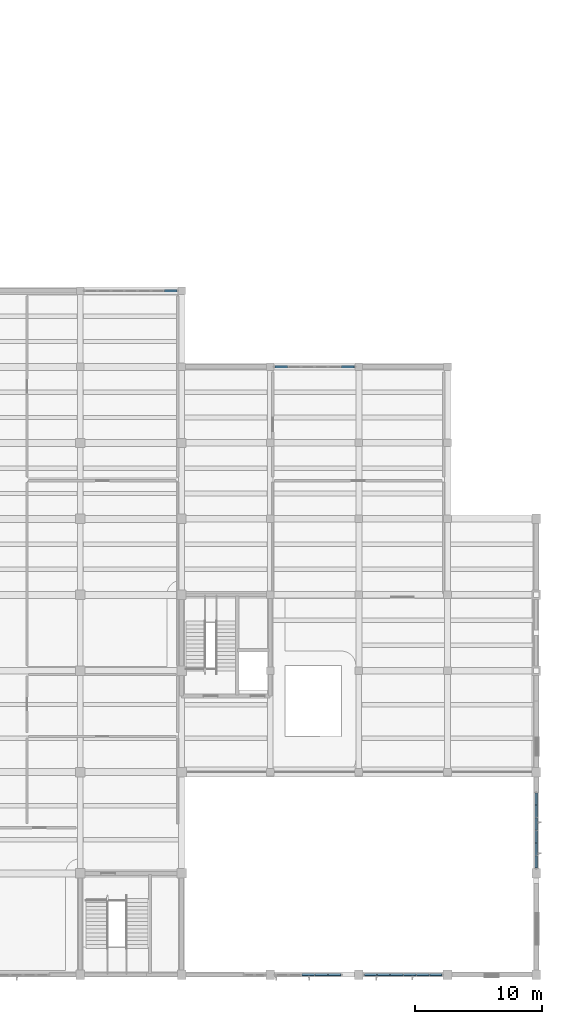
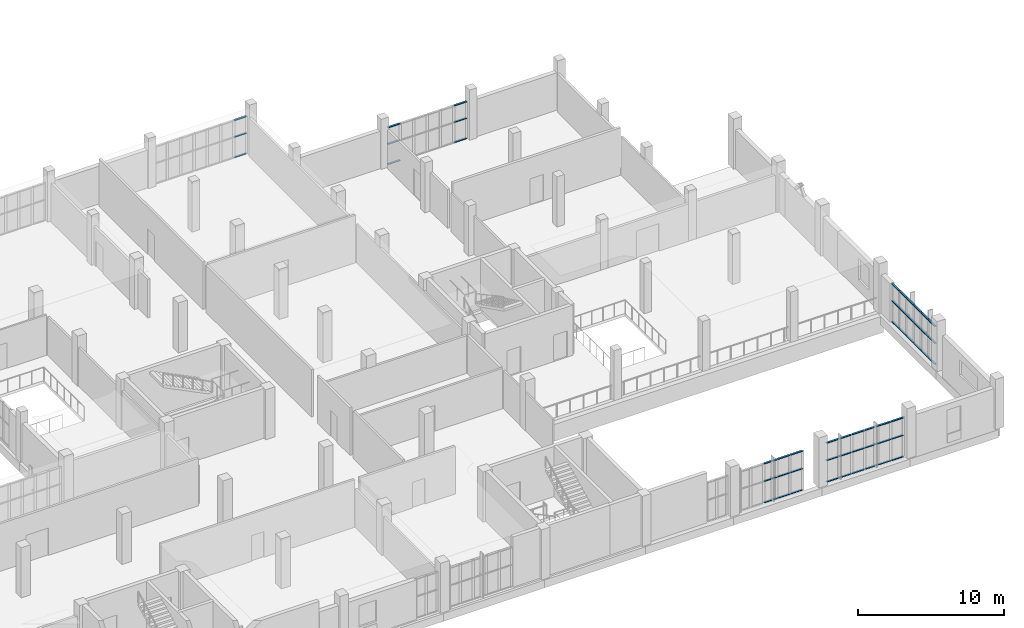
# One storey, part 44 of 85: 54 members, 5 elements without a shape of their own.
"""IFC4 building model written with IfcOpenShell, lengths in metres."""

from ifc_helpers import new_model, si_unit, direction, frame, origin, origin_2d, place, context, subcontext, project, spatial, rectangle, extrude, material, layer, layer_set, material_profile, profile_set, type_object, element, aggregate, save


model = new_model("IFC4")

# Units and contexts
model_context = context("Model", 3, precision=1e-05, world=origin(), true_north=direction((0.0, 1.0)))
body_context = subcontext(model_context, "Body", "Model", "MODEL_VIEW")
ifc_project = project(units=[si_unit("LENGTHUNIT", "METRE"), si_unit("AREAUNIT", "SQUARE_METRE"), si_unit("VOLUMEUNIT", "CUBIC_METRE"), si_unit("PLANEANGLEUNIT", "RADIAN"), si_unit("MASSUNIT", "GRAM", prefix="KILO")], contexts=[model_context])

# Site, building, storey
site_placement = place(None, origin())
site = spatial("IfcSite", under=ifc_project, at=site_placement, CompositionType="ELEMENT")
building_placement = place(site_placement, origin())
building = spatial("IfcBuilding", under=site, at=building_placement, Name="Solvane Community Centre", CompositionType="ELEMENT")
storey_placement = place(building_placement, frame((0.0, 0.0, 5.39990234375)))
storey = spatial("IfcBuildingStorey", under=building, at=storey_placement, Name="L01", CompositionType="ELEMENT", Elevation=5.39990234375)

# Curtain wall, members
ifc_material = material(Name="Anodised bronze aluminium AW-6063 T6", Category="aluminium")
ifc_layer_1 = layer(ifc_material, 0.18994140625)
ifc_layer_set_1 = layer_set([ifc_layer_1], Name="Anodised bronze aluminium AW-6063 T6")
curtain_wall_type_1 = type_object("IfcCurtainWallType", Name="Boulevard Bronze Vision Curtain Wall [62x33dm]", PredefinedType="NOTDEFINED", material=ifc_layer_set_1)
curtain_wall_1_placement = place(storey_placement, origin())
curtain_wall_1 = element("IfcCurtainWall", 1, at=curtain_wall_1_placement, inside=storey, type_object=curtain_wall_type_1, Name="Curtain Wall CW-L01-1606_60-073", PredefinedType="NOTDEFINED")
ifc_material_profile = material_profile(ifc_material, rectangle(XDim=0.14990234375, YDim=0.06005859375, at=origin_2d()), Name="CW-T 60x150")
ifc_profile_set = profile_set([ifc_material_profile], Name="Anodised bronze aluminium AW-6063 T6")
member_type = type_object("IfcMemberType", Name="Boulevard Transom 60x150", PredefinedType="USERDEFINED", material=ifc_profile_set)
member_1_placement = place(storey_placement, frame((160.544921875, 6.0, 0.030029296875), z_axis=(-1.0, 0.0, 0.0), x_axis=(0.0, -1.0, 0.0)))
member_1 = element("IfcMember", 2, at=member_1_placement, type_object=member_type, Name="CW02-62x33 transom 1.1", ObjectType="TRANSOM", PredefinedType="USERDEFINED", context=body_context, shape_type="SweptSolid", body=[
    extrude(rectangle(XDim=0.14990234375, YDim=0.06005859375, at=origin_2d()), origin(), (0.0, 0.0, 1.0), 0.94482421875),
])
member_2_placement = place(storey_placement, frame((160.544921875, 6.0, 1.822998046875), z_axis=(-1.0, 0.0, 0.0), x_axis=(0.0, -1.0, 0.0)))
member_2 = element("IfcMember", 3, at=member_2_placement, type_object=member_type, Name="CW02-62x33 transom 1.2", ObjectType="TRANSOM", PredefinedType="USERDEFINED", context=body_context, shape_type="SweptSolid", body=[
    extrude(rectangle(XDim=0.14990234375, YDim=0.06005859375, at=origin_2d()), origin(), (0.0, 0.0, 1.0), 0.94482421875),
])
member_3_placement = place(storey_placement, frame((160.544921875, 6.0, 3.28515625), z_axis=(-1.0, 0.0, 0.0), x_axis=(0.0, -1.0, 0.0)))
member_3 = element("IfcMember", 4, at=member_3_placement, type_object=member_type, Name="CW02-62x33 transom 1.3", ObjectType="TRANSOM", PredefinedType="USERDEFINED", context=body_context, shape_type="SweptSolid", body=[
    extrude(rectangle(XDim=0.14990234375, YDim=0.06005859375, at=origin_2d()), origin(), (0.0, 0.0, 1.0), 0.94482421875),
])
member_4_placement = place(storey_placement, frame((159.5400390625, 6.0, 0.030029296875), z_axis=(-1.0, 0.0, 0.0), x_axis=(0.0, -1.0, 0.0)))
member_4 = element("IfcMember", 5, at=member_4_placement, type_object=member_type, Name="CW02-62x33 transom 2.1", ObjectType="TRANSOM", PredefinedType="USERDEFINED", context=body_context, shape_type="SweptSolid", body=[
    extrude(rectangle(XDim=0.14990234375, YDim=0.06005859375, at=origin_2d()), origin(), (0.0, 0.0, 1.0), 0.97509765625),
])
member_5_placement = place(storey_placement, frame((159.5400390625, 6.0, 1.822998046875), z_axis=(-1.0, 0.0, 0.0), x_axis=(0.0, -1.0, 0.0)))
member_5 = element("IfcMember", 6, at=member_5_placement, type_object=member_type, Name="CW02-62x33 transom 2.2", ObjectType="TRANSOM", PredefinedType="USERDEFINED", context=body_context, shape_type="SweptSolid", body=[
    extrude(rectangle(XDim=0.14990234375, YDim=0.06005859375, at=origin_2d()), origin(), (0.0, 0.0, 1.0), 0.97509765625),
])
member_6_placement = place(storey_placement, frame((159.5400390625, 6.0, 3.28515625), z_axis=(-1.0, 0.0, 0.0), x_axis=(0.0, -1.0, 0.0)))
member_6 = element("IfcMember", 7, at=member_6_placement, type_object=member_type, Name="CW02-62x33 transom 2.3", ObjectType="TRANSOM", PredefinedType="USERDEFINED", context=body_context, shape_type="SweptSolid", body=[
    extrude(rectangle(XDim=0.14990234375, YDim=0.06005859375, at=origin_2d()), origin(), (0.0, 0.0, 1.0), 0.97509765625),
])
member_7_placement = place(storey_placement, frame((158.5048828125, 6.0, 0.030029296875), z_axis=(-1.0, 0.0, 0.0), x_axis=(0.0, -1.0, 0.0)))
member_7 = element("IfcMember", 8, at=member_7_placement, type_object=member_type, Name="CW02-62x33 transom 3.1", ObjectType="TRANSOM", PredefinedType="USERDEFINED", context=body_context, shape_type="SweptSolid", body=[
    extrude(rectangle(XDim=0.14990234375, YDim=0.06005859375, at=origin_2d()), origin(), (0.0, 0.0, 1.0), 0.974853515625),
])
member_8_placement = place(storey_placement, frame((158.5048828125, 6.0, 1.822998046875), z_axis=(-1.0, 0.0, 0.0), x_axis=(0.0, -1.0, 0.0)))
member_8 = element("IfcMember", 9, at=member_8_placement, type_object=member_type, Name="CW02-62x33 transom 3.2", ObjectType="TRANSOM", PredefinedType="USERDEFINED", context=body_context, shape_type="SweptSolid", body=[
    extrude(rectangle(XDim=0.14990234375, YDim=0.06005859375, at=origin_2d()), origin(), (0.0, 0.0, 1.0), 0.974853515625),
])
member_9_placement = place(storey_placement, frame((158.5048828125, 6.0, 3.28515625), z_axis=(-1.0, 0.0, 0.0), x_axis=(0.0, -1.0, 0.0)))
member_9 = element("IfcMember", 10, at=member_9_placement, type_object=member_type, Name="CW02-62x33 transom 3.3", ObjectType="TRANSOM", PredefinedType="USERDEFINED", context=body_context, shape_type="SweptSolid", body=[
    extrude(rectangle(XDim=0.14990234375, YDim=0.06005859375, at=origin_2d()), origin(), (0.0, 0.0, 1.0), 0.974853515625),
])
member_10_placement = place(storey_placement, frame((157.469970703125, 6.0, 0.030029296875), z_axis=(-1.0, 0.0, 0.0), x_axis=(0.0, -1.0, 0.0)))
member_10 = element("IfcMember", 11, at=member_10_placement, type_object=member_type, Name="CW02-62x33 transom 4.1", ObjectType="TRANSOM", PredefinedType="USERDEFINED", context=body_context, shape_type="SweptSolid", body=[
    extrude(rectangle(XDim=0.14990234375, YDim=0.06005859375, at=origin_2d()), origin(), (0.0, 0.0, 1.0), 0.974853515625),
])
member_11_placement = place(storey_placement, frame((157.469970703125, 6.0, 1.822998046875), z_axis=(-1.0, 0.0, 0.0), x_axis=(0.0, -1.0, 0.0)))
member_11 = element("IfcMember", 12, at=member_11_placement, type_object=member_type, Name="CW02-62x33 transom 4.2", ObjectType="TRANSOM", PredefinedType="USERDEFINED", context=body_context, shape_type="SweptSolid", body=[
    extrude(rectangle(XDim=0.14990234375, YDim=0.06005859375, at=origin_2d()), origin(), (0.0, 0.0, 1.0), 0.974853515625),
])
member_12_placement = place(storey_placement, frame((157.469970703125, 6.0, 3.28515625), z_axis=(-1.0, 0.0, 0.0), x_axis=(0.0, -1.0, 0.0)))
member_12 = element("IfcMember", 13, at=member_12_placement, type_object=member_type, Name="CW02-62x33 transom 4.3", ObjectType="TRANSOM", PredefinedType="USERDEFINED", context=body_context, shape_type="SweptSolid", body=[
    extrude(rectangle(XDim=0.14990234375, YDim=0.06005859375, at=origin_2d()), origin(), (0.0, 0.0, 1.0), 0.974853515625),
])
member_13_placement = place(storey_placement, frame((156.43505859375, 6.0, 0.030029296875), z_axis=(-1.0, 0.0, 0.0), x_axis=(0.0, -1.0, 0.0)))
member_13 = element("IfcMember", 14, at=member_13_placement, type_object=member_type, Name="CW02-62x33 transom 5.1", ObjectType="TRANSOM", PredefinedType="USERDEFINED", context=body_context, shape_type="SweptSolid", body=[
    extrude(rectangle(XDim=0.14990234375, YDim=0.06005859375, at=origin_2d()), origin(), (0.0, 0.0, 1.0), 0.97509765625),
])
member_14_placement = place(storey_placement, frame((156.43505859375, 6.0, 1.822998046875), z_axis=(-1.0, 0.0, 0.0), x_axis=(0.0, -1.0, 0.0)))
member_14 = element("IfcMember", 15, at=member_14_placement, type_object=member_type, Name="CW02-62x33 transom 5.2", ObjectType="TRANSOM", PredefinedType="USERDEFINED", context=body_context, shape_type="SweptSolid", body=[
    extrude(rectangle(XDim=0.14990234375, YDim=0.06005859375, at=origin_2d()), origin(), (0.0, 0.0, 1.0), 0.97509765625),
])
member_15_placement = place(storey_placement, frame((156.43505859375, 6.0, 3.28515625), z_axis=(-1.0, 0.0, 0.0), x_axis=(0.0, -1.0, 0.0)))
member_15 = element("IfcMember", 16, at=member_15_placement, type_object=member_type, Name="CW02-62x33 transom 5.3", ObjectType="TRANSOM", PredefinedType="USERDEFINED", context=body_context, shape_type="SweptSolid", body=[
    extrude(rectangle(XDim=0.14990234375, YDim=0.06005859375, at=origin_2d()), origin(), (0.0, 0.0, 1.0), 0.97509765625),
])
member_16_placement = place(storey_placement, frame((155.39990234375, 6.0, 0.030029296875), z_axis=(-1.0, 0.0, 0.0), x_axis=(0.0, -1.0, 0.0)))
member_16 = element("IfcMember", 17, at=member_16_placement, type_object=member_type, Name="CW02-62x33 transom 6.1", ObjectType="TRANSOM", PredefinedType="USERDEFINED", context=body_context, shape_type="SweptSolid", body=[
    extrude(rectangle(XDim=0.14990234375, YDim=0.06005859375, at=origin_2d()), origin(), (0.0, 0.0, 1.0), 0.94482421875),
])
member_17_placement = place(storey_placement, frame((155.39990234375, 6.0, 1.822998046875), z_axis=(-1.0, 0.0, 0.0), x_axis=(0.0, -1.0, 0.0)))
member_17 = element("IfcMember", 18, at=member_17_placement, type_object=member_type, Name="CW02-62x33 transom 6.2", ObjectType="TRANSOM", PredefinedType="USERDEFINED", context=body_context, shape_type="SweptSolid", body=[
    extrude(rectangle(XDim=0.14990234375, YDim=0.06005859375, at=origin_2d()), origin(), (0.0, 0.0, 1.0), 0.94482421875),
])
member_18_placement = place(storey_placement, frame((155.39990234375, 6.0, 3.28515625), z_axis=(-1.0, 0.0, 0.0), x_axis=(0.0, -1.0, 0.0)))
member_18 = element("IfcMember", 19, at=member_18_placement, type_object=member_type, Name="CW02-62x33 transom 6.3", ObjectType="TRANSOM", PredefinedType="USERDEFINED", context=body_context, shape_type="SweptSolid", body=[
    extrude(rectangle(XDim=0.14990234375, YDim=0.06005859375, at=origin_2d()), origin(), (0.0, 0.0, 1.0), 0.94482421875),
])
aggregate(curtain_wall_1, [member_1, member_2, member_3, member_4, member_5, member_6, member_7, member_8, member_9, member_10, member_11, member_12, member_13, member_14, member_15, member_16, member_17, member_18])

ifc_layer_2 = layer(ifc_material, 0.18994140625)
ifc_layer_set_2 = layer_set([ifc_layer_2], Name="Anodised bronze aluminium AW-6063 T6")
curtain_wall_type_2 = type_object("IfcCurtainWallType", Name="Boulevard Bronze Vision Curtain Wall [52x33dm]", PredefinedType="NOTDEFINED", material=ifc_layer_set_2)
curtain_wall_2_placement = place(storey_placement, origin())
curtain_wall_2 = element("IfcCurtainWall", 20, at=curtain_wall_2_placement, inside=storey, type_object=curtain_wall_type_2, Name="Curtain Wall CW-L01-1526_60-074", PredefinedType="NOTDEFINED")
member_19_placement = place(storey_placement, frame((152.555419921875, 6.0, 0.030029296875), z_axis=(-1.0, 0.0, 0.0), x_axis=(0.0, -1.0, 0.0)))
member_19 = element("IfcMember", 21, at=member_19_placement, type_object=member_type, Name="CW02-52x33 transom 1.1", ObjectType="TRANSOM", PredefinedType="USERDEFINED", context=body_context, shape_type="SweptSolid", body=[
    extrude(rectangle(XDim=0.14990234375, YDim=0.06005859375, at=origin_2d()), origin(), (0.0, 0.0, 1.0), 0.9541015625),
])
member_20_placement = place(storey_placement, frame((152.555419921875, 6.0, 1.822998046875), z_axis=(-1.0, 0.0, 0.0), x_axis=(0.0, -1.0, 0.0)))
member_20 = element("IfcMember", 22, at=member_20_placement, type_object=member_type, Name="CW02-52x33 transom 1.2", ObjectType="TRANSOM", PredefinedType="USERDEFINED", context=body_context, shape_type="SweptSolid", body=[
    extrude(rectangle(XDim=0.14990234375, YDim=0.06005859375, at=origin_2d()), origin(), (0.0, 0.0, 1.0), 0.9541015625),
])
member_21_placement = place(storey_placement, frame((152.555419921875, 6.0, 3.28515625), z_axis=(-1.0, 0.0, 0.0), x_axis=(0.0, -1.0, 0.0)))
member_21 = element("IfcMember", 23, at=member_21_placement, type_object=member_type, Name="CW02-52x33 transom 1.3", ObjectType="TRANSOM", PredefinedType="USERDEFINED", context=body_context, shape_type="SweptSolid", body=[
    extrude(rectangle(XDim=0.14990234375, YDim=0.06005859375, at=origin_2d()), origin(), (0.0, 0.0, 1.0), 0.9541015625),
])
member_22_placement = place(storey_placement, frame((151.541259765625, 6.0, 0.030029296875), z_axis=(-1.0, 0.0, 0.0), x_axis=(0.0, -1.0, 0.0)))
member_22 = element("IfcMember", 24, at=member_22_placement, type_object=member_type, Name="CW02-52x33 transom 2.1", ObjectType="TRANSOM", PredefinedType="USERDEFINED", context=body_context, shape_type="SweptSolid", body=[
    extrude(rectangle(XDim=0.14990234375, YDim=0.06005859375, at=origin_2d()), origin(), (0.0, 0.0, 1.0), 0.984130859375),
])
member_23_placement = place(storey_placement, frame((151.541259765625, 6.0, 1.822998046875), z_axis=(-1.0, 0.0, 0.0), x_axis=(0.0, -1.0, 0.0)))
member_23 = element("IfcMember", 25, at=member_23_placement, type_object=member_type, Name="CW02-52x33 transom 2.2", ObjectType="TRANSOM", PredefinedType="USERDEFINED", context=body_context, shape_type="SweptSolid", body=[
    extrude(rectangle(XDim=0.14990234375, YDim=0.06005859375, at=origin_2d()), origin(), (0.0, 0.0, 1.0), 0.984130859375),
])
member_24_placement = place(storey_placement, frame((151.541259765625, 6.0, 3.28515625), z_axis=(-1.0, 0.0, 0.0), x_axis=(0.0, -1.0, 0.0)))
member_24 = element("IfcMember", 26, at=member_24_placement, type_object=member_type, Name="CW02-52x33 transom 2.3", ObjectType="TRANSOM", PredefinedType="USERDEFINED", context=body_context, shape_type="SweptSolid", body=[
    extrude(rectangle(XDim=0.14990234375, YDim=0.06005859375, at=origin_2d()), origin(), (0.0, 0.0, 1.0), 0.984130859375),
])
member_25_placement = place(storey_placement, frame((150.497314453125, 6.0, 0.030029296875), z_axis=(-1.0, 0.0, 0.0), x_axis=(0.0, -1.0, 0.0)))
member_25 = element("IfcMember", 27, at=member_25_placement, type_object=member_type, Name="CW02-52x33 transom 3.1", ObjectType="TRANSOM", PredefinedType="USERDEFINED", context=body_context, shape_type="SweptSolid", body=[
    extrude(rectangle(XDim=0.14990234375, YDim=0.06005859375, at=origin_2d()), origin(), (0.0, 0.0, 1.0), 0.984130859375),
])
member_26_placement = place(storey_placement, frame((150.497314453125, 6.0, 1.822998046875), z_axis=(-1.0, 0.0, 0.0), x_axis=(0.0, -1.0, 0.0)))
member_26 = element("IfcMember", 28, at=member_26_placement, type_object=member_type, Name="CW02-52x33 transom 3.2", ObjectType="TRANSOM", PredefinedType="USERDEFINED", context=body_context, shape_type="SweptSolid", body=[
    extrude(rectangle(XDim=0.14990234375, YDim=0.06005859375, at=origin_2d()), origin(), (0.0, 0.0, 1.0), 0.984130859375),
])
member_27_placement = place(storey_placement, frame((150.497314453125, 6.0, 3.28515625), z_axis=(-1.0, 0.0, 0.0), x_axis=(0.0, -1.0, 0.0)))
member_27 = element("IfcMember", 29, at=member_27_placement, type_object=member_type, Name="CW02-52x33 transom 3.3", ObjectType="TRANSOM", PredefinedType="USERDEFINED", context=body_context, shape_type="SweptSolid", body=[
    extrude(rectangle(XDim=0.14990234375, YDim=0.06005859375, at=origin_2d()), origin(), (0.0, 0.0, 1.0), 0.984130859375),
])
aggregate(curtain_wall_2, [member_19, member_20, member_21, member_22, member_23, member_24, member_25, member_26, member_27])

ifc_layer_3 = layer(ifc_material, 0.18994140625)
ifc_layer_set_3 = layer_set([ifc_layer_3], Name="Anodised bronze aluminium AW-6063 T6")
curtain_wall_type_3 = type_object("IfcCurtainWallType", Name="Boulevard Bronze Vision Curtain Wall [74x32dm]", PredefinedType="NOTDEFINED", material=ifc_layer_set_3)
curtain_wall_3_placement = place(storey_placement, origin())
curtain_wall_3 = element("IfcCurtainWall", 30, at=curtain_wall_3_placement, inside=storey, type_object=curtain_wall_type_3, Name="Curtain Wall CW-L01-1323_600-119", PredefinedType="NOTDEFINED")
member_28_placement = place(storey_placement, frame((138.662109375, 60.0, 0.030029296875), z_axis=(1.0, 0.0, 0.0), x_axis=(0.0, 1.0, 0.0)))
member_28 = element("IfcMember", 31, at=member_28_placement, type_object=member_type, Name="CW02-74x32 transom 7.1", ObjectType="TRANSOM", PredefinedType="USERDEFINED", context=body_context, shape_type="SweptSolid", body=[
    extrude(rectangle(XDim=0.14990234375, YDim=0.06005859375, at=origin_2d()), origin(), (0.0, 0.0, 1.0), 0.962890625),
])
member_29_placement = place(storey_placement, frame((138.662109375, 60.0, 1.7412109375), z_axis=(1.0, 0.0, 0.0), x_axis=(0.0, 1.0, 0.0)))
member_29 = element("IfcMember", 32, at=member_29_placement, type_object=member_type, Name="CW02-74x32 transom 7.2", ObjectType="TRANSOM", PredefinedType="USERDEFINED", context=body_context, shape_type="SweptSolid", body=[
    extrude(rectangle(XDim=0.14990234375, YDim=0.06005859375, at=origin_2d()), origin(), (0.0, 0.0, 1.0), 0.962890625),
])
member_30_placement = place(storey_placement, frame((138.662109375, 60.0, 3.135009765625), z_axis=(1.0, 0.0, 0.0), x_axis=(0.0, 1.0, 0.0)))
member_30 = element("IfcMember", 33, at=member_30_placement, type_object=member_type, Name="CW02-74x32 transom 7.3", ObjectType="TRANSOM", PredefinedType="USERDEFINED", context=body_context, shape_type="SweptSolid", body=[
    extrude(rectangle(XDim=0.14990234375, YDim=0.06005859375, at=origin_2d()), origin(), (0.0, 0.0, 1.0), 0.962890625),
])
aggregate(curtain_wall_3, [member_28, member_29, member_30])

ifc_layer_4 = layer(ifc_material, 0.18994140625)
ifc_layer_set_4 = layer_set([ifc_layer_4], Name="Anodised bronze aluminium AW-6063 T6")
curtain_wall_type_4 = type_object("IfcCurtainWallType", Name="Boulevard Bronze Vision Curtain Wall [64x31dm]", PredefinedType="NOTDEFINED", material=ifc_layer_set_4)
curtain_wall_4_placement = place(storey_placement, origin())
curtain_wall_4 = element("IfcCurtainWall", 34, at=curtain_wall_4_placement, inside=storey, type_object=curtain_wall_type_4, Name="Curtain Wall CW-L01-1473_540-120", PredefinedType="NOTDEFINED")
member_31_placement = place(storey_placement, frame((147.3798828125, 54.0, 0.030029296875), z_axis=(1.0, 0.0, 0.0), x_axis=(0.0, 1.0, 0.0)))
member_31 = element("IfcMember", 35, at=member_31_placement, type_object=member_type, Name="CW02-64x31 transom 1.1", ObjectType="TRANSOM", PredefinedType="USERDEFINED", context=body_context, shape_type="SweptSolid", body=[
    extrude(rectangle(XDim=0.14990234375, YDim=0.06005859375, at=origin_2d()), origin(), (0.0, 0.0, 1.0), 0.97021484375),
])
member_32_placement = place(storey_placement, frame((147.3798828125, 54.0, 1.72412109375), z_axis=(1.0, 0.0, 0.0), x_axis=(0.0, 1.0, 0.0)))
member_32 = element("IfcMember", 36, at=member_32_placement, type_object=member_type, Name="CW02-64x31 transom 1.2", ObjectType="TRANSOM", PredefinedType="USERDEFINED", context=body_context, shape_type="SweptSolid", body=[
    extrude(rectangle(XDim=0.14990234375, YDim=0.06005859375, at=origin_2d()), origin(), (0.0, 0.0, 1.0), 0.97021484375),
])
member_33_placement = place(storey_placement, frame((147.3798828125, 54.0, 3.10498046875), z_axis=(1.0, 0.0, 0.0), x_axis=(0.0, 1.0, 0.0)))
member_33 = element("IfcMember", 37, at=member_33_placement, type_object=member_type, Name="CW02-64x31 transom 1.3", ObjectType="TRANSOM", PredefinedType="USERDEFINED", context=body_context, shape_type="SweptSolid", body=[
    extrude(rectangle(XDim=0.14990234375, YDim=0.06005859375, at=origin_2d()), origin(), (0.0, 0.0, 1.0), 0.97021484375),
])
member_34_placement = place(storey_placement, frame((152.64990234375, 54.0, 0.030029296875), z_axis=(1.0, 0.0, 0.0), x_axis=(0.0, 1.0, 0.0)))
member_34 = element("IfcMember", 38, at=member_34_placement, type_object=member_type, Name="CW02-64x31 transom 6.1", ObjectType="TRANSOM", PredefinedType="USERDEFINED", context=body_context, shape_type="SweptSolid", body=[
    extrude(rectangle(XDim=0.14990234375, YDim=0.06005859375, at=origin_2d()), origin(), (0.0, 0.0, 1.0), 0.97021484375),
])
member_35_placement = place(storey_placement, frame((152.64990234375, 54.0, 1.72412109375), z_axis=(1.0, 0.0, 0.0), x_axis=(0.0, 1.0, 0.0)))
member_35 = element("IfcMember", 39, at=member_35_placement, type_object=member_type, Name="CW02-64x31 transom 6.2", ObjectType="TRANSOM", PredefinedType="USERDEFINED", context=body_context, shape_type="SweptSolid", body=[
    extrude(rectangle(XDim=0.14990234375, YDim=0.06005859375, at=origin_2d()), origin(), (0.0, 0.0, 1.0), 0.97021484375),
])
member_36_placement = place(storey_placement, frame((152.64990234375, 54.0, 3.10498046875), z_axis=(1.0, 0.0, 0.0), x_axis=(0.0, 1.0, 0.0)))
member_36 = element("IfcMember", 40, at=member_36_placement, type_object=member_type, Name="CW02-64x31 transom 6.3", ObjectType="TRANSOM", PredefinedType="USERDEFINED", context=body_context, shape_type="SweptSolid", body=[
    extrude(rectangle(XDim=0.14990234375, YDim=0.06005859375, at=origin_2d()), origin(), (0.0, 0.0, 1.0), 0.97021484375),
])
aggregate(curtain_wall_4, [member_31, member_32, member_33, member_34, member_35, member_36])

ifc_layer_5 = layer(ifc_material, 0.18994140625)
ifc_layer_set_5 = layer_set([ifc_layer_5], Name="Anodised bronze aluminium AW-6063 T6")
curtain_wall_type_5 = type_object("IfcCurtainWallType", Name="Boulevard Bronze Vision Curtain Wall [60x32dm]", PredefinedType="NOTDEFINED", material=ifc_layer_set_5)
curtain_wall_5_placement = place(storey_placement, origin())
curtain_wall_5 = element("IfcCurtainWall", 41, at=curtain_wall_5_placement, inside=storey, type_object=curtain_wall_type_5, Name="Curtain Wall CW-L01-1680_204-121", PredefinedType="NOTDEFINED")
member_37_placement = place(storey_placement, frame((168.0, 20.340087890625, 0.030029296875), z_axis=(0.0, -1.0, 0.0), x_axis=(1.0, 0.0, 0.0)))
member_37 = element("IfcMember", 42, at=member_37_placement, type_object=member_type, Name="CW02-60x32 transom 1.1", ObjectType="TRANSOM", PredefinedType="USERDEFINED", context=body_context, shape_type="SweptSolid", body=[
    extrude(rectangle(XDim=0.14990234375, YDim=0.06005859375, at=origin_2d()), origin(), (0.0, 0.0, 1.0), 0.910888671875),
])
member_38_placement = place(storey_placement, frame((168.0, 20.340087890625, 1.774169921875), z_axis=(0.0, -1.0, 0.0), x_axis=(1.0, 0.0, 0.0)))
member_38 = element("IfcMember", 43, at=member_38_placement, type_object=member_type, Name="CW02-60x32 transom 1.2", ObjectType="TRANSOM", PredefinedType="USERDEFINED", context=body_context, shape_type="SweptSolid", body=[
    extrude(rectangle(XDim=0.14990234375, YDim=0.06005859375, at=origin_2d()), origin(), (0.0, 0.0, 1.0), 0.910888671875),
])
member_39_placement = place(storey_placement, frame((168.0, 20.340087890625, 3.195068359375), z_axis=(0.0, -1.0, 0.0), x_axis=(1.0, 0.0, 0.0)))
member_39 = element("IfcMember", 44, at=member_39_placement, type_object=member_type, Name="CW02-60x32 transom 1.3", ObjectType="TRANSOM", PredefinedType="USERDEFINED", context=body_context, shape_type="SweptSolid", body=[
    extrude(rectangle(XDim=0.14990234375, YDim=0.06005859375, at=origin_2d()), origin(), (0.0, 0.0, 1.0), 0.910888671875),
])
member_40_placement = place(storey_placement, frame((168.0, 19.369140625, 0.030029296875), z_axis=(0.0, -1.0, 0.0), x_axis=(1.0, 0.0, 0.0)))
member_40 = element("IfcMember", 45, at=member_40_placement, type_object=member_type, Name="CW02-60x32 transom 2.1", ObjectType="TRANSOM", PredefinedType="USERDEFINED", context=body_context, shape_type="SweptSolid", body=[
    extrude(rectangle(XDim=0.14990234375, YDim=0.06005859375, at=origin_2d()), origin(), (0.0, 0.0, 1.0), 0.94091796875),
])
member_41_placement = place(storey_placement, frame((168.0, 19.369140625, 1.774169921875), z_axis=(0.0, -1.0, 0.0), x_axis=(1.0, 0.0, 0.0)))
member_41 = element("IfcMember", 46, at=member_41_placement, type_object=member_type, Name="CW02-60x32 transom 2.2", ObjectType="TRANSOM", PredefinedType="USERDEFINED", context=body_context, shape_type="SweptSolid", body=[
    extrude(rectangle(XDim=0.14990234375, YDim=0.06005859375, at=origin_2d()), origin(), (0.0, 0.0, 1.0), 0.94091796875),
])
member_42_placement = place(storey_placement, frame((168.0, 19.369140625, 3.195068359375), z_axis=(0.0, -1.0, 0.0), x_axis=(1.0, 0.0, 0.0)))
member_42 = element("IfcMember", 47, at=member_42_placement, type_object=member_type, Name="CW02-60x32 transom 2.3", ObjectType="TRANSOM", PredefinedType="USERDEFINED", context=body_context, shape_type="SweptSolid", body=[
    extrude(rectangle(XDim=0.14990234375, YDim=0.06005859375, at=origin_2d()), origin(), (0.0, 0.0, 1.0), 0.94091796875),
])
member_43_placement = place(storey_placement, frame((168.0, 18.368408203125, 0.030029296875), z_axis=(0.0, -1.0, 0.0), x_axis=(1.0, 0.0, 0.0)))
member_43 = element("IfcMember", 48, at=member_43_placement, type_object=member_type, Name="CW02-60x32 transom 3.1", ObjectType="TRANSOM", PredefinedType="USERDEFINED", context=body_context, shape_type="SweptSolid", body=[
    extrude(rectangle(XDim=0.14990234375, YDim=0.06005859375, at=origin_2d()), origin(), (0.0, 0.0, 1.0), 0.94091796875),
])
member_44_placement = place(storey_placement, frame((168.0, 18.368408203125, 1.774169921875), z_axis=(0.0, -1.0, 0.0), x_axis=(1.0, 0.0, 0.0)))
member_44 = element("IfcMember", 49, at=member_44_placement, type_object=member_type, Name="CW02-60x32 transom 3.2", ObjectType="TRANSOM", PredefinedType="USERDEFINED", context=body_context, shape_type="SweptSolid", body=[
    extrude(rectangle(XDim=0.14990234375, YDim=0.06005859375, at=origin_2d()), origin(), (0.0, 0.0, 1.0), 0.94091796875),
])
member_45_placement = place(storey_placement, frame((168.0, 18.368408203125, 3.195068359375), z_axis=(0.0, -1.0, 0.0), x_axis=(1.0, 0.0, 0.0)))
member_45 = element("IfcMember", 50, at=member_45_placement, type_object=member_type, Name="CW02-60x32 transom 3.3", ObjectType="TRANSOM", PredefinedType="USERDEFINED", context=body_context, shape_type="SweptSolid", body=[
    extrude(rectangle(XDim=0.14990234375, YDim=0.06005859375, at=origin_2d()), origin(), (0.0, 0.0, 1.0), 0.94091796875),
])
member_46_placement = place(storey_placement, frame((168.0, 17.367431640625, 0.030029296875), z_axis=(0.0, -1.0, 0.0), x_axis=(1.0, 0.0, 0.0)))
member_46 = element("IfcMember", 51, at=member_46_placement, type_object=member_type, Name="CW02-60x32 transom 4.1", ObjectType="TRANSOM", PredefinedType="USERDEFINED", context=body_context, shape_type="SweptSolid", body=[
    extrude(rectangle(XDim=0.14990234375, YDim=0.06005859375, at=origin_2d()), origin(), (0.0, 0.0, 1.0), 0.940673828125),
])
member_47_placement = place(storey_placement, frame((168.0, 17.367431640625, 1.774169921875), z_axis=(0.0, -1.0, 0.0), x_axis=(1.0, 0.0, 0.0)))
member_47 = element("IfcMember", 52, at=member_47_placement, type_object=member_type, Name="CW02-60x32 transom 4.2", ObjectType="TRANSOM", PredefinedType="USERDEFINED", context=body_context, shape_type="SweptSolid", body=[
    extrude(rectangle(XDim=0.14990234375, YDim=0.06005859375, at=origin_2d()), origin(), (0.0, 0.0, 1.0), 0.940673828125),
])
member_48_placement = place(storey_placement, frame((168.0, 17.367431640625, 3.195068359375), z_axis=(0.0, -1.0, 0.0), x_axis=(1.0, 0.0, 0.0)))
member_48 = element("IfcMember", 53, at=member_48_placement, type_object=member_type, Name="CW02-60x32 transom 4.3", ObjectType="TRANSOM", PredefinedType="USERDEFINED", context=body_context, shape_type="SweptSolid", body=[
    extrude(rectangle(XDim=0.14990234375, YDim=0.06005859375, at=origin_2d()), origin(), (0.0, 0.0, 1.0), 0.940673828125),
])
member_49_placement = place(storey_placement, frame((168.0, 16.36669921875, 0.030029296875), z_axis=(0.0, -1.0, 0.0), x_axis=(1.0, 0.0, 0.0)))
member_49 = element("IfcMember", 54, at=member_49_placement, type_object=member_type, Name="CW02-60x32 transom 5.1", ObjectType="TRANSOM", PredefinedType="USERDEFINED", context=body_context, shape_type="SweptSolid", body=[
    extrude(rectangle(XDim=0.14990234375, YDim=0.06005859375, at=origin_2d()), origin(), (0.0, 0.0, 1.0), 0.94091796875),
])
member_50_placement = place(storey_placement, frame((168.0, 16.36669921875, 1.774169921875), z_axis=(0.0, -1.0, 0.0), x_axis=(1.0, 0.0, 0.0)))
member_50 = element("IfcMember", 55, at=member_50_placement, type_object=member_type, Name="CW02-60x32 transom 5.2", ObjectType="TRANSOM", PredefinedType="USERDEFINED", context=body_context, shape_type="SweptSolid", body=[
    extrude(rectangle(XDim=0.14990234375, YDim=0.06005859375, at=origin_2d()), origin(), (0.0, 0.0, 1.0), 0.94091796875),
])
member_51_placement = place(storey_placement, frame((168.0, 16.36669921875, 3.195068359375), z_axis=(0.0, -1.0, 0.0), x_axis=(1.0, 0.0, 0.0)))
member_51 = element("IfcMember", 56, at=member_51_placement, type_object=member_type, Name="CW02-60x32 transom 5.3", ObjectType="TRANSOM", PredefinedType="USERDEFINED", context=body_context, shape_type="SweptSolid", body=[
    extrude(rectangle(XDim=0.14990234375, YDim=0.06005859375, at=origin_2d()), origin(), (0.0, 0.0, 1.0), 0.94091796875),
])
member_52_placement = place(storey_placement, frame((168.0, 15.36572265625, 0.030029296875), z_axis=(0.0, -1.0, 0.0), x_axis=(1.0, 0.0, 0.0)))
member_52 = element("IfcMember", 57, at=member_52_placement, type_object=member_type, Name="CW02-60x32 transom 6.1", ObjectType="TRANSOM", PredefinedType="USERDEFINED", context=body_context, shape_type="SweptSolid", body=[
    extrude(rectangle(XDim=0.14990234375, YDim=0.06005859375, at=origin_2d()), origin(), (0.0, 0.0, 1.0), 0.91064453125),
])
member_53_placement = place(storey_placement, frame((168.0, 15.36572265625, 1.774169921875), z_axis=(0.0, -1.0, 0.0), x_axis=(1.0, 0.0, 0.0)))
member_53 = element("IfcMember", 58, at=member_53_placement, type_object=member_type, Name="CW02-60x32 transom 6.2", ObjectType="TRANSOM", PredefinedType="USERDEFINED", context=body_context, shape_type="SweptSolid", body=[
    extrude(rectangle(XDim=0.14990234375, YDim=0.06005859375, at=origin_2d()), origin(), (0.0, 0.0, 1.0), 0.91064453125),
])
member_54_placement = place(storey_placement, frame((168.0, 15.36572265625, 3.195068359375), z_axis=(0.0, -1.0, 0.0), x_axis=(1.0, 0.0, 0.0)))
member_54 = element("IfcMember", 59, at=member_54_placement, type_object=member_type, Name="CW02-60x32 transom 6.3", ObjectType="TRANSOM", PredefinedType="USERDEFINED", context=body_context, shape_type="SweptSolid", body=[
    extrude(rectangle(XDim=0.14990234375, YDim=0.06005859375, at=origin_2d()), origin(), (0.0, 0.0, 1.0), 0.91064453125),
])
aggregate(curtain_wall_5, [member_37, member_38, member_39, member_40, member_41, member_42, member_43, member_44, member_45, member_46, member_47, member_48, member_49, member_50, member_51, member_52, member_53, member_54])

save(model, "model.ifc")
